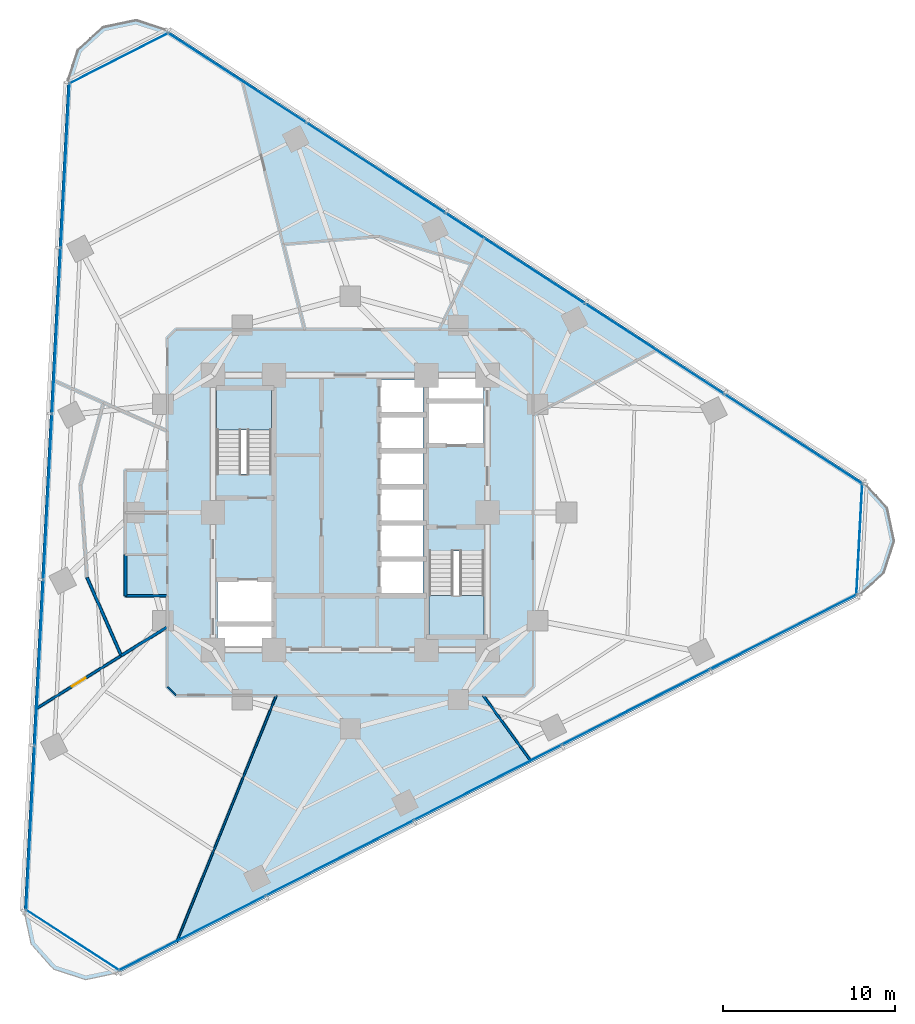
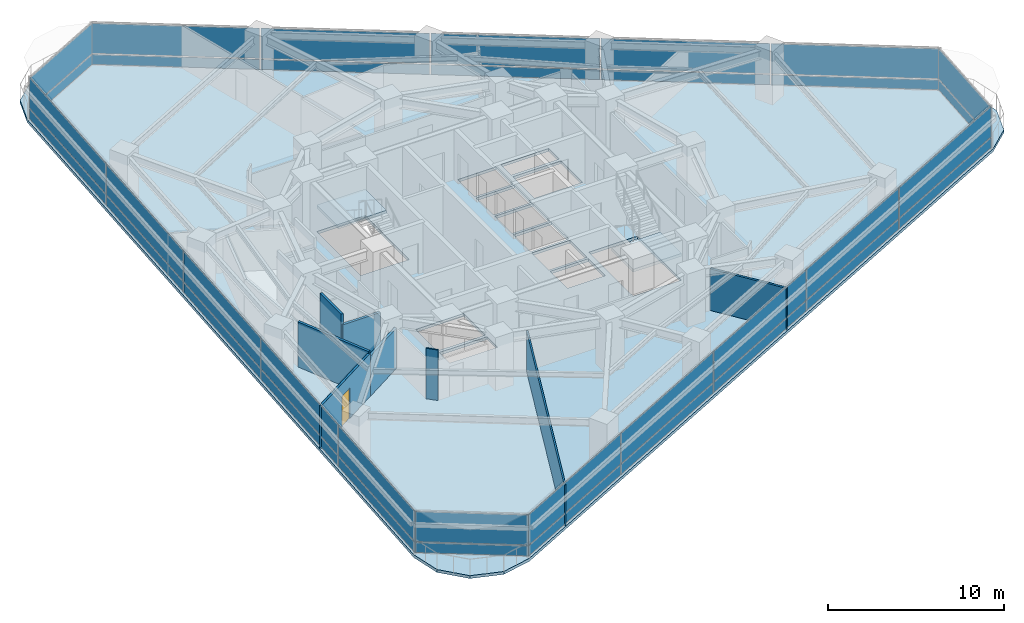
# One storey, part 7 of 14: 36 plates, 8 walls, 3 slabs, 1 door, 1 opening, 8 elements without a shape of their own.
"""IFC4 building model written with IfcOpenShell, lengths in metres."""

from ifc_helpers import new_model, si_unit, direction, frame, frame_2d, origin, origin_2d, place, context, subcontext, project, spatial, polyline, rectangle, outline, extrude, material, layer, layer_set, type_object, element, fill, aggregate, save


model = new_model("IFC4")

# Units and contexts
model_context = context("Model", 3, precision=1e-05, world=origin(), true_north=direction((0.0, 1.0)))
body_context = subcontext(model_context, "Body", "Model", "MODEL_VIEW")
ifc_project = project(units=[si_unit("LENGTHUNIT", "METRE"), si_unit("AREAUNIT", "SQUARE_METRE"), si_unit("VOLUMEUNIT", "CUBIC_METRE"), si_unit("PLANEANGLEUNIT", "RADIAN"), si_unit("MASSUNIT", "GRAM", prefix="KILO")], contexts=[model_context])

# Site, building, storey
site_placement = place(None, origin())
site = spatial("IfcSite", under=ifc_project, at=site_placement, CompositionType="ELEMENT")
building_placement = place(site_placement, origin())
building = spatial("IfcBuilding", under=site, at=building_placement, Name="Terralouvre Media Tower", CompositionType="ELEMENT")
storey_placement = place(building_placement, frame((0.0, 0.0, 134.699951171875)))
storey = spatial("IfcBuildingStorey", under=building, at=storey_placement, Name="L34", CompositionType="ELEMENT", Elevation=134.699951171875)

# Slab
ifc_material_1 = material(Name="Concrete C40/50", Category="concrete")
ifc_layer_1 = layer(ifc_material_1, 0.199951171875, Name="Composite Tower Floor Slab S-TYP200")
ifc_layer_set_1 = layer_set([ifc_layer_1], Name="Concrete C40/50")
slab_type_1 = type_object("IfcSlabType", Name="Composite Tower Floor Slab S-TYP200", PredefinedType="FLOOR", material=ifc_layer_set_1)
slab_1_placement = place(storey_placement, frame((0.0, 0.0, -0.199951171875), z_axis=(0.0, 0.0, 1.0), x_axis=(0.891006524188, 0.45399049974, 0.0)))
element("IfcSlab", 1, at=slab_1_placement, inside=storey, type_object=slab_type_1, Name="L34 Structural Floor Slab", PredefinedType="FLOOR", context=body_context, shape_type="SweptSolid", body=[
    extrude(outline(polyline([(-27.490966796875, -12.07177734375), (-28.0, -13.971923828125), (-27.490966796875, -15.871826171875), (-26.10009765625, -17.2626953125), (-24.199951171875, -17.77197265625), (24.199951171875, -17.77197265625), (26.10009765625, -17.2626953125), (27.490966796875, -15.871826171875), (28.0, -13.971923828125), (27.490966796875, -12.07177734375), (3.291015625, 29.84375), (1.89990234375, 31.234619140625), (0.0, 31.74365234375), (-1.89990234375, 31.234619140625), (-3.291015625, 29.84375), (-27.490966796875, -12.07177734375)]), holes=[polyline([(-7.094970703125, -3.792236328125), (-7.6396484375, -4.861572265625), (-10.446533203125, -3.431396484375), (-9.901611328125, -2.3623046875), (-7.094970703125, -3.792236328125)]), polyline([(-7.004150390625, -3.614013671875), (-9.810791015625, -2.18408203125), (-8.698486328125, -0.0009765625), (-5.891845703125, -1.43115234375), (-7.004150390625, -3.614013671875)]), polyline([(4.504150390625, -0.521728515625), (2.276611328125, 0.61328125), (3.1572265625, 2.341796875), (5.384765625, 1.206787109375), (4.504150390625, -0.521728515625)]), polyline([(6.338134765625, 3.077880859375), (5.45751953125, 1.349365234375), (3.22998046875, 2.484375), (4.110595703125, 4.212890625), (6.338134765625, 3.077880859375)]), polyline([(-3.079345703125, 4.088623046875), (-5.912841796875, 5.532470703125), (-3.635986328125, 10.000732421875), (-0.802734375, 8.55712890625), (-3.079345703125, 4.088623046875)]), polyline([(6.410888671875, 3.220458984375), (4.183349609375, 4.35546875), (5.06396484375, 6.083984375), (7.29150390625, 4.94921875), (6.410888671875, 3.220458984375)]), polyline([(0.802734375, -8.55712890625), (3.079345703125, -4.088623046875), (5.912841796875, -5.532470703125), (3.635986328125, -10.000732421875), (0.802734375, -8.55712890625)]), polyline([(1.64404296875, -6.135009765625), (-0.58349609375, -5.0), (0.297119140625, -3.271484375), (2.524658203125, -4.406494140625), (1.64404296875, -6.135009765625)]), polyline([(2.597412109375, -4.263916015625), (0.369873046875, -3.12890625), (1.25048828125, -1.400390625), (3.47802734375, -2.535400390625), (2.597412109375, -4.263916015625)]), polyline([(4.431396484375, -0.664306640625), (3.55078125, -2.392822265625), (1.3232421875, -1.2578125), (2.203857421875, 0.470703125), (4.431396484375, -0.664306640625)]), polyline([(8.698486328125, 0.0009765625), (5.891845703125, 1.43115234375), (7.004150390625, 3.614013671875), (9.810791015625, 2.18408203125), (8.698486328125, 0.0009765625)]), polyline([(9.901611328125, 2.3623046875), (7.094970703125, 3.792236328125), (7.6396484375, 4.861572265625), (10.446533203125, 3.431396484375), (9.901611328125, 2.3623046875)])]), origin(), (0.0, 0.0, 1.0), 0.199951171875),
])

# Stair, slab
ifc_material_2 = material(Name="Concrete C45/55", Category="concrete")
stair_type_1 = type_object("IfcStairType", Name="Dogleg Stair Assembly ST-01", PredefinedType="HALF_TURN_STAIR", material=ifc_material_2)
stair_1_placement = place(storey_placement, origin())
stair_1 = element("IfcStair", 2, at=stair_1_placement, inside=storey, type_object=stair_type_1, Name="L34 Core Pressurised Exit Stair ST-01", PredefinedType="HALF_TURN_STAIR")
ifc_material_3 = material(Name="Concrete C45/55", Category="concrete")
ifc_layer_2 = layer(ifc_material_3, 0.199951171875, Name="Reinforced Concrete Stair Half-Landing SL-LD1")
ifc_layer_set_2 = layer_set([ifc_layer_2], Name="Concrete C45/55")
slab_type_2 = type_object("IfcSlabType", Name="Reinforced Concrete Stair Half-Landing SL-LD1", PredefinedType="LANDING", material=ifc_layer_set_2)
slab_2_placement = place(storey_placement, frame((0.0, 0.0, 1.650146484375)))
slab_2 = element("IfcSlab", 3, at=slab_2_placement, type_object=slab_type_2, Name="ST-01 landing 1", PredefinedType="LANDING", context=body_context, shape_type="SweptSolid", body=[
    extrude(outline(polyline([(-4.60009765625, 4.820068359375), (-4.60009765625, 7.260009765625), (-7.780029296875, 7.260009765625), (-7.780029296875, 4.820068359375), (-4.60009765625, 4.820068359375)])), origin(), (0.0, 0.0, 1.0), 0.199951171875),
])
aggregate(stair_1, [slab_2])

ifc_material_4 = material(Name="Concrete C45/55", Category="concrete")
stair_type_2 = type_object("IfcStairType", Name="Dogleg Stair Assembly ST-02", PredefinedType="HALF_TURN_STAIR", material=ifc_material_4)
stair_2_placement = place(storey_placement, origin())
stair_2 = element("IfcStair", 4, at=stair_2_placement, inside=storey, type_object=stair_type_2, Name="L34 Core Pressurised Exit Stair ST-02", PredefinedType="HALF_TURN_STAIR")
slab_3_placement = place(storey_placement, frame((0.0, 0.0, 1.650146484375)))
slab_3 = element("IfcSlab", 5, at=slab_3_placement, type_object=slab_type_2, Name="ST-02 landing 1", PredefinedType="LANDING", context=body_context, shape_type="SweptSolid", body=[
    extrude(outline(polyline([(4.60009765625, -4.820068359375), (4.60009765625, -7.260009765625), (7.780029296875, -7.260009765625), (7.780029296875, -4.820068359375), (4.60009765625, -4.820068359375)])), origin(), (0.0, 0.0, 1.0), 0.199951171875),
])
aggregate(stair_2, [slab_3])

# Curtain wall, plates
ifc_material_5 = material(Name="Low-iron laminated double glazing with solar-control coating", Category="glass")
ifc_layer_3 = layer(ifc_material_5, 0.1650390625, Name="Rounded Wind-Corner Curved Glazing CW-04")
ifc_layer_set_3 = layer_set([ifc_layer_3], Name="Low-iron laminated double glazing with solar-control coating")
curtain_wall_type_1 = type_object("IfcCurtainWallType", Name="Rounded Wind-Corner Curved Glazing CW-04", PredefinedType="NOTDEFINED", material=ifc_layer_set_3)
curtain_wall_1_placement = place(storey_placement, origin())
curtain_wall_1 = element("IfcCurtainWall", 6, at=curtain_wall_1_placement, inside=storey, type_object=curtain_wall_type_1, Name="L34 Rounded Wind-Corner Curtain Wall C0", PredefinedType="NOTDEFINED")
ifc_material_6 = material(Name="Low-iron laminated double glazing with solar-control coating", Category="glass")
ifc_layer_4 = layer(ifc_material_6, 0.0400390625, Name="Rounded Corner Laminated Vision Panel CWP-03")
ifc_layer_set_4 = layer_set([ifc_layer_4], Name="Low-iron laminated double glazing with solar-control coating")
plate_type_1 = type_object("IfcPlateType", Name="Rounded Corner Laminated Vision Panel CWP-03", PredefinedType="CURTAIN_PANEL", material=ifc_layer_set_4)
plate_1_placement = place(storey_placement, frame((-16.177734375, -24.91162109375, 0.074951171875), z_axis=(0.0, 0.0, 1.0), x_axis=(0.838670390568, -0.544639308152, 0.0)))
plate_1 = element("IfcPlate", 7, at=plate_1_placement, type_object=plate_type_1, Name="CW-04 panel 1.1", PredefinedType="CURTAIN_PANEL", context=body_context, shape_type="SweptSolid", body=[
    extrude(rectangle(XDim=6.431884765625, YDim=0.035888671875, at=origin_2d()), origin(), (0.0, 0.0, 1.0), 0.6875),
])
plate_2_placement = place(storey_placement, frame((-16.177734375, -24.91162109375, 0.837646484375), z_axis=(0.0, 0.0, 1.0), x_axis=(0.838670390568, -0.544639308152, 0.0)))
plate_2 = element("IfcPlate", 8, at=plate_2_placement, type_object=plate_type_1, Name="CW-04 panel 1.2", PredefinedType="CURTAIN_PANEL", context=body_context, shape_type="SweptSolid", body=[
    extrude(rectangle(XDim=6.431884765625, YDim=0.035888671875, at=origin_2d()), origin(), (0.0, 0.0, 1.0), 2.08740234375),
])
aggregate(curtain_wall_1, [plate_1, plate_2])

curtain_wall_2_placement = place(storey_placement, origin())
curtain_wall_2 = element("IfcCurtainWall", 9, at=curtain_wall_2_placement, inside=storey, type_object=curtain_wall_type_1, Name="L34 Rounded Wind-Corner Curtain Wall C1", PredefinedType="NOTDEFINED")
plate_3_placement = place(storey_placement, frame((29.6630859375, -1.5546875, 0.074951171875), z_axis=(0.0, 0.0, 1.0), x_axis=(0.052336823006, 0.998629489329, 0.0)))
plate_3 = element("IfcPlate", 10, at=plate_3_placement, type_object=plate_type_1, Name="CW-04 panel 1.1", PredefinedType="CURTAIN_PANEL", context=body_context, shape_type="SweptSolid", body=[
    extrude(rectangle(XDim=6.431884765625, YDim=0.035888671875, at=origin_2d()), origin(), (0.0, 0.0, 1.0), 0.6875),
])
plate_4_placement = place(storey_placement, frame((29.6630859375, -1.5546875, 0.837646484375), z_axis=(0.0, 0.0, 1.0), x_axis=(0.052336823006, 0.998629489329, 0.0)))
plate_4 = element("IfcPlate", 11, at=plate_4_placement, type_object=plate_type_1, Name="CW-04 panel 1.2", PredefinedType="CURTAIN_PANEL", context=body_context, shape_type="SweptSolid", body=[
    extrude(rectangle(XDim=6.431884765625, YDim=0.035888671875, at=origin_2d()), origin(), (0.0, 0.0, 1.0), 2.08740234375),
])
aggregate(curtain_wall_2, [plate_3, plate_4])

curtain_wall_3_placement = place(storey_placement, origin())
curtain_wall_3 = element("IfcCurtainWall", 12, at=curtain_wall_3_placement, inside=storey, type_object=curtain_wall_type_1, Name="L34 Rounded Wind-Corner Curtain Wall C2", PredefinedType="NOTDEFINED")
plate_5_placement = place(storey_placement, frame((-13.485107421875, 26.46630859375, 0.074951171875), z_axis=(0.0, 0.0, 1.0), x_axis=(-0.891006600184, -0.45399035059, 0.0)))
plate_5 = element("IfcPlate", 13, at=plate_5_placement, type_object=plate_type_1, Name="CW-04 panel 1.1", PredefinedType="CURTAIN_PANEL", context=body_context, shape_type="SweptSolid", body=[
    extrude(rectangle(XDim=6.431884765625, YDim=0.035888671875, at=origin_2d()), origin(), (0.0, 0.0, 1.0), 0.6875),
])
plate_6_placement = place(storey_placement, frame((-13.485107421875, 26.46630859375, 0.837646484375), z_axis=(0.0, 0.0, 1.0), x_axis=(-0.891006600184, -0.45399035059, 0.0)))
plate_6 = element("IfcPlate", 14, at=plate_6_placement, type_object=plate_type_1, Name="CW-04 panel 1.2", PredefinedType="CURTAIN_PANEL", context=body_context, shape_type="SweptSolid", body=[
    extrude(rectangle(XDim=6.431884765625, YDim=0.035888671875, at=origin_2d()), origin(), (0.0, 0.0, 1.0), 2.08740234375),
])
aggregate(curtain_wall_3, [plate_5, plate_6])

ifc_material_7 = material(Name="Low-iron laminated double glazing with solar-control coating", Category="glass")
ifc_layer_5 = layer(ifc_material_7, 0.1650390625, Name="Production Studio Tower Curtain Wall CW-03")
ifc_layer_set_5 = layer_set([ifc_layer_5], Name="Low-iron laminated double glazing with solar-control coating")
curtain_wall_type_2 = type_object("IfcCurtainWallType", Name="Production Studio Tower Curtain Wall CW-03", PredefinedType="NOTDEFINED", material=ifc_layer_set_5)
curtain_wall_4_placement = place(storey_placement, origin())
curtain_wall_4 = element("IfcCurtainWall", 15, at=curtain_wall_4_placement, inside=storey, type_object=curtain_wall_type_2, Name="L34 Facade Curtain Wall F0", PredefinedType="NOTDEFINED")
ifc_material_8 = material(Name="Low-iron laminated double glazing with solar-control coating", Category="glass")
ifc_layer_6 = layer(ifc_material_8, 0.035888671875, Name="Vision Double-Glazed Unit CWP-01")
ifc_layer_set_6 = layer_set([ifc_layer_6], Name="Low-iron laminated double glazing with solar-control coating")
plate_type_2 = type_object("IfcPlateType", Name="Vision Double-Glazed Unit CWP-01", PredefinedType="CURTAIN_PANEL", material=ifc_layer_set_6)
plate_7_placement = place(storey_placement, frame((-9.219482421875, -24.5087890625, 0.074951171875), z_axis=(0.0, 0.0, 1.0), x_axis=(0.891006501178, 0.4539905449, 0.0)))
plate_7 = element("IfcPlate", 16, at=plate_7_placement, type_object=plate_type_2, Name="CW-03 panel 1.1", PredefinedType="CURTAIN_PANEL", context=body_context, shape_type="SweptSolid", body=[
    extrude(rectangle(XDim=9.5673828125, YDim=0.035888671875, at=origin_2d()), origin(), (0.0, 0.0, 1.0), 0.6875),
])
plate_8_placement = place(storey_placement, frame((-9.219482421875, -24.5087890625, 0.837646484375), z_axis=(0.0, 0.0, 1.0), x_axis=(0.891006501178, 0.4539905449, 0.0)))
plate_8 = element("IfcPlate", 17, at=plate_8_placement, type_object=plate_type_2, Name="CW-03 panel 1.2", PredefinedType="CURTAIN_PANEL", context=body_context, shape_type="SweptSolid", body=[
    extrude(rectangle(XDim=9.5673828125, YDim=0.035888671875, at=origin_2d()), origin(), (0.0, 0.0, 1.0), 2.08740234375),
])
plate_9_placement = place(storey_placement, frame((-0.611083984375, -20.12255859375, 0.074951171875), z_axis=(0.0, 0.0, 1.0), x_axis=(0.891006501178, 0.4539905449, 0.0)))
plate_9 = element("IfcPlate", 18, at=plate_9_placement, type_object=plate_type_2, Name="CW-03 panel 2.1", PredefinedType="CURTAIN_PANEL", context=body_context, shape_type="SweptSolid", body=[
    extrude(rectangle(XDim=9.60498046875, YDim=0.035888671875, at=origin_2d()), origin(), (0.0, 0.0, 1.0), 0.6875),
])
plate_10_placement = place(storey_placement, frame((-0.611083984375, -20.12255859375, 0.837646484375), z_axis=(0.0, 0.0, 1.0), x_axis=(0.891006501178, 0.4539905449, 0.0)))
plate_10 = element("IfcPlate", 19, at=plate_10_placement, type_object=plate_type_2, Name="CW-03 panel 2.2", PredefinedType="CURTAIN_PANEL", context=body_context, shape_type="SweptSolid", body=[
    extrude(rectangle(XDim=9.60498046875, YDim=0.035888671875, at=origin_2d()), origin(), (0.0, 0.0, 1.0), 2.08740234375),
])
plate_11_placement = place(storey_placement, frame((8.013671875, -15.72802734375, 0.074951171875), z_axis=(0.0, 0.0, 1.0), x_axis=(0.891006501178, 0.4539905449, 0.0)))
plate_11 = element("IfcPlate", 20, at=plate_11_placement, type_object=plate_type_2, Name="CW-03 panel 3.1", PredefinedType="CURTAIN_PANEL", context=body_context, shape_type="SweptSolid", body=[
    extrude(rectangle(XDim=9.60498046875, YDim=0.035888671875, at=origin_2d()), origin(), (0.0, 0.0, 1.0), 0.6875),
])
plate_12_placement = place(storey_placement, frame((8.013671875, -15.72802734375, 0.837646484375), z_axis=(0.0, 0.0, 1.0), x_axis=(0.891006501178, 0.4539905449, 0.0)))
plate_12 = element("IfcPlate", 21, at=plate_12_placement, type_object=plate_type_2, Name="CW-03 panel 3.2", PredefinedType="CURTAIN_PANEL", context=body_context, shape_type="SweptSolid", body=[
    extrude(rectangle(XDim=9.60498046875, YDim=0.035888671875, at=origin_2d()), origin(), (0.0, 0.0, 1.0), 2.08740234375),
])
plate_13_placement = place(storey_placement, frame((16.638671875, -11.333251953125, 0.074951171875), z_axis=(0.0, 0.0, 1.0), x_axis=(0.891006501178, 0.4539905449, 0.0)))
plate_13 = element("IfcPlate", 22, at=plate_13_placement, type_object=plate_type_2, Name="CW-03 panel 4.1", PredefinedType="CURTAIN_PANEL", context=body_context, shape_type="SweptSolid", body=[
    extrude(rectangle(XDim=9.60498046875, YDim=0.035888671875, at=origin_2d()), origin(), (0.0, 0.0, 1.0), 0.6875),
])
plate_14_placement = place(storey_placement, frame((16.638671875, -11.333251953125, 0.837646484375), z_axis=(0.0, 0.0, 1.0), x_axis=(0.891006501178, 0.4539905449, 0.0)))
plate_14 = element("IfcPlate", 23, at=plate_14_placement, type_object=plate_type_2, Name="CW-03 panel 4.2", PredefinedType="CURTAIN_PANEL", context=body_context, shape_type="SweptSolid", body=[
    extrude(rectangle(XDim=9.60498046875, YDim=0.035888671875, at=origin_2d()), origin(), (0.0, 0.0, 1.0), 2.08740234375),
])
plate_15_placement = place(storey_placement, frame((25.2470703125, -6.947265625, 0.074951171875), z_axis=(0.0, 0.0, 1.0), x_axis=(0.891006501178, 0.4539905449, 0.0)))
plate_15 = element("IfcPlate", 24, at=plate_15_placement, type_object=plate_type_2, Name="CW-03 panel 5.1", PredefinedType="CURTAIN_PANEL", context=body_context, shape_type="SweptSolid", body=[
    extrude(rectangle(XDim=9.5673828125, YDim=0.035888671875, at=origin_2d()), origin(), (0.0, 0.0, 1.0), 0.6875),
])
plate_16_placement = place(storey_placement, frame((25.2470703125, -6.947265625, 0.837646484375), z_axis=(0.0, 0.0, 1.0), x_axis=(0.891006501178, 0.4539905449, 0.0)))
plate_16 = element("IfcPlate", 25, at=plate_16_placement, type_object=plate_type_2, Name="CW-03 panel 5.2", PredefinedType="CURTAIN_PANEL", context=body_context, shape_type="SweptSolid", body=[
    extrude(rectangle(XDim=9.5673828125, YDim=0.035888671875, at=origin_2d()), origin(), (0.0, 0.0, 1.0), 2.08740234375),
])
aggregate(curtain_wall_4, [plate_7, plate_8, plate_9, plate_10, plate_11, plate_12, plate_13, plate_14, plate_15, plate_16])

curtain_wall_5_placement = place(storey_placement, origin())
curtain_wall_5 = element("IfcCurtainWall", 26, at=curtain_wall_5_placement, inside=storey, type_object=curtain_wall_type_2, Name="L34 Facade Curtain Wall F1", PredefinedType="NOTDEFINED")
plate_17_placement = place(storey_placement, frame((25.8349609375, 4.27001953125, 0.074951171875), z_axis=(0.0, 0.0, 1.0), x_axis=(-0.838670588944, 0.544639002681, 0.0)))
plate_17 = element("IfcPlate", 27, at=plate_17_placement, type_object=plate_type_2, Name="CW-03 panel 1.1", PredefinedType="CURTAIN_PANEL", context=body_context, shape_type="SweptSolid", body=[
    extrude(rectangle(XDim=9.5673828125, YDim=0.035888671875, at=origin_2d()), origin(), (0.0, 0.0, 1.0), 0.6875),
])
plate_18_placement = place(storey_placement, frame((25.8349609375, 4.27001953125, 0.837646484375), z_axis=(0.0, 0.0, 1.0), x_axis=(-0.838670588944, 0.544639002681, 0.0)))
plate_18 = element("IfcPlate", 28, at=plate_18_placement, type_object=plate_type_2, Name="CW-03 panel 1.2", PredefinedType="CURTAIN_PANEL", context=body_context, shape_type="SweptSolid", body=[
    extrude(rectangle(XDim=9.5673828125, YDim=0.035888671875, at=origin_2d()), origin(), (0.0, 0.0, 1.0), 2.08740234375),
])
plate_19_placement = place(storey_placement, frame((17.732177734375, 9.531982421875, 0.074951171875), z_axis=(0.0, 0.0, 1.0), x_axis=(-0.838670588944, 0.544639002681, 0.0)))
plate_19 = element("IfcPlate", 29, at=plate_19_placement, type_object=plate_type_2, Name="CW-03 panel 2.1", PredefinedType="CURTAIN_PANEL", context=body_context, shape_type="SweptSolid", body=[
    extrude(rectangle(XDim=9.60498046875, YDim=0.035888671875, at=origin_2d()), origin(), (0.0, 0.0, 1.0), 0.6875),
])
plate_20_placement = place(storey_placement, frame((17.732177734375, 9.531982421875, 0.837646484375), z_axis=(0.0, 0.0, 1.0), x_axis=(-0.838670588944, 0.544639002681, 0.0)))
plate_20 = element("IfcPlate", 30, at=plate_20_placement, type_object=plate_type_2, Name="CW-03 panel 2.2", PredefinedType="CURTAIN_PANEL", context=body_context, shape_type="SweptSolid", body=[
    extrude(rectangle(XDim=9.60498046875, YDim=0.035888671875, at=origin_2d()), origin(), (0.0, 0.0, 1.0), 2.08740234375),
])
plate_21_placement = place(storey_placement, frame((9.614013671875, 14.80419921875, 0.074951171875), z_axis=(0.0, 0.0, 1.0), x_axis=(-0.838670588944, 0.544639002681, 0.0)))
plate_21 = element("IfcPlate", 31, at=plate_21_placement, type_object=plate_type_2, Name="CW-03 panel 3.1", PredefinedType="CURTAIN_PANEL", context=body_context, shape_type="SweptSolid", body=[
    extrude(rectangle(XDim=9.60498046875, YDim=0.035888671875, at=origin_2d()), origin(), (0.0, 0.0, 1.0), 0.6875),
])
plate_22_placement = place(storey_placement, frame((9.614013671875, 14.80419921875, 0.837646484375), z_axis=(0.0, 0.0, 1.0), x_axis=(-0.838670588944, 0.544639002681, 0.0)))
plate_22 = element("IfcPlate", 32, at=plate_22_placement, type_object=plate_type_2, Name="CW-03 panel 3.2", PredefinedType="CURTAIN_PANEL", context=body_context, shape_type="SweptSolid", body=[
    extrude(rectangle(XDim=9.60498046875, YDim=0.035888671875, at=origin_2d()), origin(), (0.0, 0.0, 1.0), 2.08740234375),
])
plate_23_placement = place(storey_placement, frame((1.49560546875, 20.076171875, 0.074951171875), z_axis=(0.0, 0.0, 1.0), x_axis=(-0.838670588944, 0.544639002681, 0.0)))
plate_23 = element("IfcPlate", 33, at=plate_23_placement, type_object=plate_type_2, Name="CW-03 panel 4.1", PredefinedType="CURTAIN_PANEL", context=body_context, shape_type="SweptSolid", body=[
    extrude(rectangle(XDim=9.60498046875, YDim=0.035888671875, at=origin_2d()), origin(), (0.0, 0.0, 1.0), 0.6875),
])
plate_24_placement = place(storey_placement, frame((1.49560546875, 20.076171875, 0.837646484375), z_axis=(0.0, 0.0, 1.0), x_axis=(-0.838670588944, 0.544639002681, 0.0)))
plate_24 = element("IfcPlate", 34, at=plate_24_placement, type_object=plate_type_2, Name="CW-03 panel 4.2", PredefinedType="CURTAIN_PANEL", context=body_context, shape_type="SweptSolid", body=[
    extrude(rectangle(XDim=9.60498046875, YDim=0.035888671875, at=origin_2d()), origin(), (0.0, 0.0, 1.0), 2.08740234375),
])
plate_25_placement = place(storey_placement, frame((-6.60693359375, 25.338134765625, 0.074951171875), z_axis=(0.0, 0.0, 1.0), x_axis=(-0.838670588944, 0.544639002681, 0.0)))
plate_25 = element("IfcPlate", 35, at=plate_25_placement, type_object=plate_type_2, Name="CW-03 panel 5.1", PredefinedType="CURTAIN_PANEL", context=body_context, shape_type="SweptSolid", body=[
    extrude(rectangle(XDim=9.5673828125, YDim=0.035888671875, at=origin_2d()), origin(), (0.0, 0.0, 1.0), 0.6875),
])
plate_26_placement = place(storey_placement, frame((-6.60693359375, 25.338134765625, 0.837646484375), z_axis=(0.0, 0.0, 1.0), x_axis=(-0.838670588944, 0.544639002681, 0.0)))
plate_26 = element("IfcPlate", 36, at=plate_26_placement, type_object=plate_type_2, Name="CW-03 panel 5.2", PredefinedType="CURTAIN_PANEL", context=body_context, shape_type="SweptSolid", body=[
    extrude(rectangle(XDim=9.5673828125, YDim=0.035888671875, at=origin_2d()), origin(), (0.0, 0.0, 1.0), 2.08740234375),
])
aggregate(curtain_wall_5, [plate_17, plate_18, plate_19, plate_20, plate_21, plate_22, plate_23, plate_24, plate_25, plate_26])

curtain_wall_6_placement = place(storey_placement, origin())
curtain_wall_6 = element("IfcCurtainWall", 37, at=curtain_wall_6_placement, inside=storey, type_object=curtain_wall_type_2, Name="L34 Facade Curtain Wall F2", PredefinedType="NOTDEFINED")
plate_27_placement = place(storey_placement, frame((-16.615478515625, 20.238525390625, 0.074951171875), z_axis=(0.0, 0.0, 1.0), x_axis=(-0.052335949864, -0.998629535089, 0.0)))
plate_27 = element("IfcPlate", 38, at=plate_27_placement, type_object=plate_type_2, Name="CW-03 panel 1.1", PredefinedType="CURTAIN_PANEL", context=body_context, shape_type="SweptSolid", body=[
    extrude(rectangle(XDim=9.5673828125, YDim=0.035888671875, at=origin_2d()), origin(), (0.0, 0.0, 1.0), 0.6875),
])
plate_28_placement = place(storey_placement, frame((-16.615478515625, 20.238525390625, 0.837646484375), z_axis=(0.0, 0.0, 1.0), x_axis=(-0.052335949864, -0.998629535089, 0.0)))
plate_28 = element("IfcPlate", 39, at=plate_28_placement, type_object=plate_type_2, Name="CW-03 panel 1.2", PredefinedType="CURTAIN_PANEL", context=body_context, shape_type="SweptSolid", body=[
    extrude(rectangle(XDim=9.5673828125, YDim=0.035888671875, at=origin_2d()), origin(), (0.0, 0.0, 1.0), 2.08740234375),
])
plate_29_placement = place(storey_placement, frame((-17.12109375, 10.590576171875, 0.074951171875), z_axis=(0.0, 0.0, 1.0), x_axis=(-0.052335949864, -0.998629535089, 0.0)))
plate_29 = element("IfcPlate", 40, at=plate_29_placement, type_object=plate_type_2, Name="CW-03 panel 2.1", PredefinedType="CURTAIN_PANEL", context=body_context, shape_type="SweptSolid", body=[
    extrude(rectangle(XDim=9.60498046875, YDim=0.035888671875, at=origin_2d()), origin(), (0.0, 0.0, 1.0), 0.6875),
])
plate_30_placement = place(storey_placement, frame((-17.12109375, 10.590576171875, 0.837646484375), z_axis=(0.0, 0.0, 1.0), x_axis=(-0.052335949864, -0.998629535089, 0.0)))
plate_30 = element("IfcPlate", 41, at=plate_30_placement, type_object=plate_type_2, Name="CW-03 panel 2.2", PredefinedType="CURTAIN_PANEL", context=body_context, shape_type="SweptSolid", body=[
    extrude(rectangle(XDim=9.60498046875, YDim=0.035888671875, at=origin_2d()), origin(), (0.0, 0.0, 1.0), 2.08740234375),
])
plate_31_placement = place(storey_placement, frame((-17.627685546875, 0.923828125, 0.074951171875), z_axis=(0.0, 0.0, 1.0), x_axis=(-0.052335949864, -0.998629535089, 0.0)))
plate_31 = element("IfcPlate", 42, at=plate_31_placement, type_object=plate_type_2, Name="CW-03 panel 3.1", PredefinedType="CURTAIN_PANEL", context=body_context, shape_type="SweptSolid", body=[
    extrude(rectangle(XDim=9.60498046875, YDim=0.035888671875, at=origin_2d()), origin(), (0.0, 0.0, 1.0), 0.6875),
])
plate_32_placement = place(storey_placement, frame((-17.627685546875, 0.923828125, 0.837646484375), z_axis=(0.0, 0.0, 1.0), x_axis=(-0.052335949864, -0.998629535089, 0.0)))
plate_32 = element("IfcPlate", 43, at=plate_32_placement, type_object=plate_type_2, Name="CW-03 panel 3.2", PredefinedType="CURTAIN_PANEL", context=body_context, shape_type="SweptSolid", body=[
    extrude(rectangle(XDim=9.60498046875, YDim=0.035888671875, at=origin_2d()), origin(), (0.0, 0.0, 1.0), 2.08740234375),
])
plate_33_placement = place(storey_placement, frame((-18.13427734375, -8.742919921875, 0.074951171875), z_axis=(0.0, 0.0, 1.0), x_axis=(-0.052335949864, -0.998629535089, 0.0)))
plate_33 = element("IfcPlate", 44, at=plate_33_placement, type_object=plate_type_2, Name="CW-03 panel 4.1", PredefinedType="CURTAIN_PANEL", context=body_context, shape_type="SweptSolid", body=[
    extrude(rectangle(XDim=9.60498046875, YDim=0.035888671875, at=origin_2d()), origin(), (0.0, 0.0, 1.0), 0.6875),
])
plate_34_placement = place(storey_placement, frame((-18.13427734375, -8.742919921875, 0.837646484375), z_axis=(0.0, 0.0, 1.0), x_axis=(-0.052335949864, -0.998629535089, 0.0)))
plate_34 = element("IfcPlate", 45, at=plate_34_placement, type_object=plate_type_2, Name="CW-03 panel 4.2", PredefinedType="CURTAIN_PANEL", context=body_context, shape_type="SweptSolid", body=[
    extrude(rectangle(XDim=9.60498046875, YDim=0.035888671875, at=origin_2d()), origin(), (0.0, 0.0, 1.0), 2.08740234375),
])
plate_35_placement = place(storey_placement, frame((-18.639892578125, -18.390869140625, 0.074951171875), z_axis=(0.0, 0.0, 1.0), x_axis=(-0.052335949864, -0.998629535089, 0.0)))
plate_35 = element("IfcPlate", 46, at=plate_35_placement, type_object=plate_type_2, Name="CW-03 panel 5.1", PredefinedType="CURTAIN_PANEL", context=body_context, shape_type="SweptSolid", body=[
    extrude(rectangle(XDim=9.5673828125, YDim=0.035888671875, at=origin_2d()), origin(), (0.0, 0.0, 1.0), 0.6875),
])
plate_36_placement = place(storey_placement, frame((-18.639892578125, -18.390869140625, 0.837646484375), z_axis=(0.0, 0.0, 1.0), x_axis=(-0.052335949864, -0.998629535089, 0.0)))
plate_36 = element("IfcPlate", 47, at=plate_36_placement, type_object=plate_type_2, Name="CW-03 panel 5.2", PredefinedType="CURTAIN_PANEL", context=body_context, shape_type="SweptSolid", body=[
    extrude(rectangle(XDim=9.5673828125, YDim=0.035888671875, at=origin_2d()), origin(), (0.0, 0.0, 1.0), 2.08740234375),
])
aggregate(curtain_wall_6, [plate_27, plate_28, plate_29, plate_30, plate_31, plate_32, plate_33, plate_34, plate_35, plate_36])

# Walls
ifc_material_9 = material(Name="Low-iron laminated double glazing with solar-control coating", Category="glass")
ifc_layer_7 = layer(ifc_material_9, 0.10009765625, Name="Demountable Glazed Office Partition PT-GL100")
ifc_layer_set_7 = layer_set([ifc_layer_7], Name="Low-iron laminated double glazing with solar-control coating")
wall_type_1 = type_object("IfcWallType", Name="Demountable Glazed Office Partition PT-GL100", PredefinedType="MOVABLE", material=ifc_layer_set_7)
wall_1_placement = place(storey_placement, frame((-10.64990234375, -10.14990234375, 0.0), z_axis=(0.0, 0.0, 1.0), x_axis=(0.707106781187, -0.707106781187, 0.0)))
element("IfcWall", 48, at=wall_1_placement, inside=storey, type_object=wall_type_1, Name="L34 Interior Partition 006", PredefinedType="MOVABLE", context=body_context, shape_type="SweptSolid", body=[
    extrude(rectangle(XDim=0.70703125, YDim=0.10009765625, at=frame_2d((0.353515625, 0.0))), origin(), (0.0, 0.0, 1.0), 3.5),
])
wall_2_placement = place(storey_placement, frame((-10.101806640625, -25.003173828125, 0.0), z_axis=(0.0, 0.0, 1.0), x_axis=(0.374591600556, 0.927189911935, 0.0)))
element("IfcWall", 49, at=wall_2_placement, inside=storey, type_object=wall_type_1, Name="L34 Interior Partition 034", PredefinedType="MOVABLE", context=body_context, shape_type="SweptSolid", body=[
    extrude(rectangle(XDim=15.48046875, YDim=0.10009765625, at=frame_2d((7.740234375, 0.0))), origin(), (0.0, 0.0, 1.0), 2.78515625),
])

# Wall, opening, door
ifc_material_10 = material(Name="Fire-rated gypsum board drywall partition")
ifc_layer_8 = layer(ifc_material_10, 0.135009765625, Name="Newsroom Acoustic Partition PT-135")
ifc_layer_set_8 = layer_set([ifc_layer_8], Name="Fire-rated gypsum board drywall partition")
wall_type_2 = type_object("IfcWallType", Name="Newsroom Acoustic Partition PT-135", PredefinedType="PARTITIONING", material=ifc_layer_set_8)
wall_3_placement = place(storey_placement, frame((-18.31591796875, -11.444580078125, 0.0), z_axis=(0.0, 0.0, 1.0), x_axis=(0.848103549297, 0.529830510324, 0.0)))
wall_3 = element("IfcWall", 50, at=wall_3_placement, inside=storey, type_object=wall_type_2, Name="L34 Interior Partition 032", PredefinedType="PARTITIONING", context=body_context, shape_type="SweptSolid", body=[
    extrude(rectangle(XDim=5.863525390625, YDim=0.135009765625, at=frame_2d((2.931640625, 0.0))), origin(), (0.0, 0.0, 1.0), 2.985107421875),
])
opening_placement = place(wall_3_placement, frame((2.4716796875, 0.0, 0.0)))
opening = element("IfcOpeningElement", 51, at=opening_placement, cuts=wall_3, Name="Opening ID-03-92X210", PredefinedType="OPENING", context=body_context, shape_type="SweptSolid", body=[
    extrude(rectangle(XDim=0.919921875, YDim=2.10009765625, at=frame_2d((0.4599609375, 1.050048828125))), frame((0.0, 0.077392578125, 0.0), z_axis=(0.0, -1.0, 0.0), x_axis=(1.0, 0.0, 0.0)), (0.0, 0.0, 1.0), 0.155029296875),
])
ifc_material_11 = material(Name="Engineered hardwood acoustic timber leaf", Category="wood")
door_type = type_object("IfcDoorType", Name="Accessible Restroom and Suite Door ID-03 (920x2100)", OperationType="NOTDEFINED", PredefinedType="DOOR", material=ifc_material_11)
door_placement = place(opening_placement, origin())
door = element("IfcDoor", 52, at=door_placement, inside=storey, type_object=door_type, Name="L34 Classical and Jazz Listening Library 2 Door", OperationType="SINGLE_SWING_RIGHT", OverallHeight=2.10009765625, OverallWidth=0.919921875, PredefinedType="DOOR", context=body_context, shape_type="SweptSolid", body=[
    extrude(rectangle(XDim=0.919921875, YDim=2.10009765625, at=frame_2d((0.4599609375, 1.050048828125))), frame((0.0, 0.02490234375, 0.0), z_axis=(0.0, -1.0, 0.0), x_axis=(1.0, 0.0, 0.0)), (0.0, 0.0, 1.0), 0.050048828125),
])
fill(opening, door)

# Walls
wall_4_placement = place(storey_placement, frame((10.528564453125, -14.491455078125, 0.0), z_axis=(0.0, 0.0, 1.0), x_axis=(-0.58771300603, 0.809069479429, 0.0)))
element("IfcWall", 53, at=wall_4_placement, inside=storey, type_object=wall_type_2, Name="L34 Interior Partition 035", PredefinedType="PARTITIONING", context=body_context, shape_type="SweptSolid", body=[
    extrude(rectangle(XDim=4.748046875, YDim=0.135009765625, at=frame_2d((2.3740234375, 0.0))), origin(), (0.0, 0.0, 1.0), 2.885009765625),
])
ifc_material_12 = material(Name="Fire-rated gypsum board drywall partition")
ifc_layer_9 = layer(ifc_material_12, 0.159912109375, Name="Studio Acoustic Rated Partition PT-160")
ifc_layer_set_9 = layer_set([ifc_layer_9], Name="Fire-rated gypsum board drywall partition")
wall_type_3 = type_object("IfcWallType", Name="Studio Acoustic Rated Partition PT-160", PredefinedType="PARTITIONING", material=ifc_layer_set_9)
wall_5_placement = place(storey_placement, frame((-15.342041015625, -3.778076171875, 0.0), z_axis=(0.0, 0.0, 1.0), x_axis=(0.401510696769, -0.915854333604, 0.0)))
element("IfcWall", 54, at=wall_5_placement, inside=storey, type_object=wall_type_3, Name="L34 Interior Partition 023", PredefinedType="PARTITIONING", context=body_context, shape_type="SweptSolid", body=[
    extrude(rectangle(XDim=4.978759765625, YDim=0.159912109375, at=frame_2d((2.4892578125, 0.0))), origin(), (0.0, 0.0, 1.0), 3.125),
])
wall_6_placement = place(storey_placement, frame((-10.64990234375, -4.85009765625, 0.0), z_axis=(0.0, 0.0, 1.0), x_axis=(-1.0, 0.0, 0.0)))
element("IfcWall", 55, at=wall_6_placement, inside=storey, type_object=wall_type_3, Name="L34 Interior Partition 024", PredefinedType="PARTITIONING", context=body_context, shape_type="SweptSolid", body=[
    extrude(rectangle(XDim=2.4501953125, YDim=0.159912109375, at=frame_2d((1.22509765625, 0.0))), origin(), (0.0, 0.0, 1.0), 2.78515625),
])
wall_7_placement = place(storey_placement, frame((-13.10009765625, -4.85009765625, 0.0), z_axis=(0.0, 0.0, 1.0), x_axis=(0.0, 1.0, 0.0)))
element("IfcWall", 56, at=wall_7_placement, inside=storey, type_object=wall_type_3, Name="L34 Interior Partition 025", PredefinedType="PARTITIONING", context=body_context, shape_type="SweptSolid", body=[
    extrude(rectangle(XDim=2.400146484375, YDim=0.159912109375, at=frame_2d((1.2001953125, 0.0))), origin(), (0.0, 0.0, 1.0), 3.5),
])
wall_8_placement = place(storey_placement, frame((-13.343017578125, -8.337890625, 0.0), z_axis=(0.0, 0.0, 1.0), x_axis=(0.848045809732, 0.52992292326, 0.0)))
element("IfcWall", 57, at=wall_8_placement, inside=storey, type_object=wall_type_3, Name="L34 Interior Partition 026", PredefinedType="PARTITIONING", context=body_context, shape_type="SweptSolid", body=[
    extrude(rectangle(XDim=3.17578125, YDim=0.159912109375, at=frame_2d((1.587890625, 0.0))), origin(), (0.0, 0.0, 1.0), 2.78515625),
])

save(model, "model.ifc")
